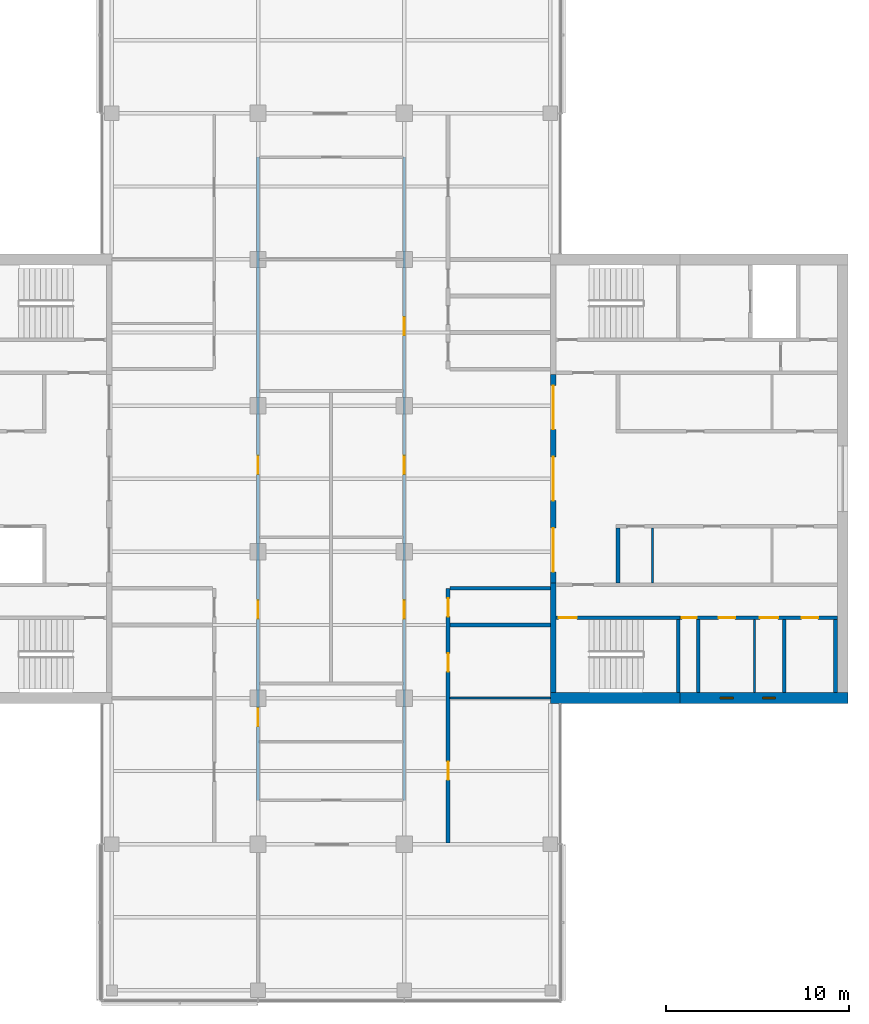
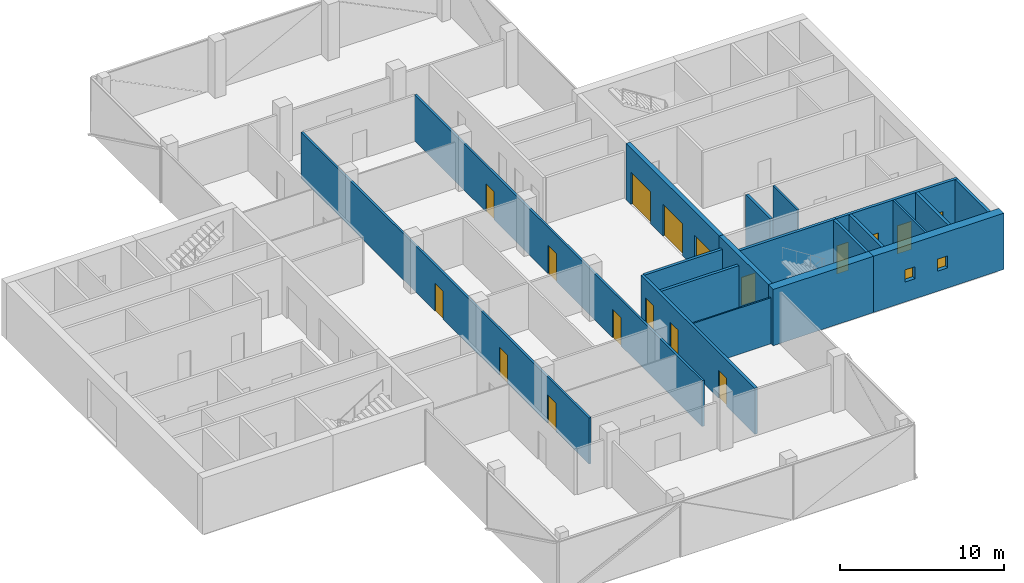
# One storey, part 10 of 16: 19 walls, 17 doors, 2 windows, 19 openings.
"""IFC4 building model written with IfcOpenShell, lengths in metres."""

from ifc_helpers import new_model, si_unit, direction, frame, frame_2d, origin, place, context, subcontext, project, spatial, rectangle, extrude, material, layer, layer_set, constituent, constituent_set, type_object, element, fill, save


model = new_model("IFC4")

# Units and contexts
model_context = context("Model", 3, precision=1e-05, world=origin(), true_north=direction((0.0, 1.0)))
body_context = subcontext(model_context, "Body", "Model", "MODEL_VIEW")
ifc_project = project(units=[si_unit("LENGTHUNIT", "METRE"), si_unit("AREAUNIT", "SQUARE_METRE"), si_unit("VOLUMEUNIT", "CUBIC_METRE"), si_unit("PLANEANGLEUNIT", "RADIAN"), si_unit("MASSUNIT", "GRAM", prefix="KILO")], contexts=[model_context])

# Site, building, storey
site_placement = place(None, origin())
site = spatial("IfcSite", under=ifc_project, at=site_placement, CompositionType="ELEMENT")
building_placement = place(site_placement, origin())
building = spatial("IfcBuilding", under=site, at=building_placement, Name="Crosswind Convention Tower", CompositionType="ELEMENT")
storey_placement = place(building_placement, frame((0.0, 0.0, 208.300048828125)))
storey = spatial("IfcBuildingStorey", under=building, at=storey_placement, Name="L44", CompositionType="ELEMENT", Elevation=208.300048828125)

# Wall
ifc_material_1 = material(Name="Concrete blockwork", Category="masonry")
ifc_layer_1 = layer(ifc_material_1, 0.199951171875)
ifc_layer_set_1 = layer_set([ifc_layer_1], Name="Blockwork partition wall 200")
wall_type_1 = type_object("IfcWallType", Name="Blockwork partition wall 200", PredefinedType="PARTITIONING", material=ifc_layer_set_1)
wall_1_placement = place(storey_placement, frame((145.10009765625, 88.300048828125, 0.0), z_axis=(0.0, 0.0, 1.0), x_axis=(0.0, 1.0, 0.0)))
element("IfcWall", 1, at=wall_1_placement, inside=storey, type_object=wall_type_1, Name="Wall MRSE E L44", PredefinedType="PARTITIONING", context=body_context, shape_type="SweptSolid", body=[
    extrude(rectangle(XDim=4.0, YDim=0.199951171875, at=frame_2d((2.0, 0.0))), origin(), (0.0, 0.0, 1.0), 4.199951171875),
])

# Wall, openings, doors
ifc_layer_2 = layer(ifc_material_1, 0.199951171875)
ifc_layer_set_2 = layer_set([ifc_layer_2], Name="COMPARTMENT WALL 200 BLOCKWORK")
wall_type_2 = type_object("IfcWallType", Name="COMPARTMENT WALL 200 BLOCKWORK", PredefinedType="SOLIDWALL", material=ifc_layer_set_2)
wall_2_placement = place(storey_placement, frame((131.39990234375, 80.074951171875, 0.0), z_axis=(0.0, 0.0, 1.0), x_axis=(0.0, 1.0, 0.0)))
wall_2 = element("IfcWall", 2, at=wall_2_placement, inside=storey, type_object=wall_type_2, Name="Compartment wall WT42", PredefinedType="SOLIDWALL", context=body_context, shape_type="SweptSolid", body=[
    extrude(rectangle(XDim=13.925048828125, YDim=0.199951171875, at=frame_2d((6.96240234375, 0.0))), origin(), (0.0, 0.0, 1.0), 3.439697265625),
])
opening_1_placement = place(wall_2_placement, frame((12.375, 0.0, 0.0)))
opening_1 = element("IfcOpeningElement", 3, at=opening_1_placement, cuts=wall_2, Name="Opening L44-54", PredefinedType="OPENING", context=body_context, shape_type="SweptSolid", body=[
    extrude(rectangle(XDim=1.0, YDim=2.10009765625, at=frame_2d((0.5, 1.050048828125))), frame((0.0, 0.10986328125, 0.0), z_axis=(0.0, -1.0, 0.0), x_axis=(1.0, 0.0, 0.0)), (0.0, 0.0, 1.0), 0.219970703125),
])
opening_2_placement = place(wall_2_placement, frame((9.375, 0.0, 0.0)))
opening_2 = element("IfcOpeningElement", 4, at=opening_2_placement, cuts=wall_2, Name="Opening L44-55", PredefinedType="OPENING", context=body_context, shape_type="SweptSolid", body=[
    extrude(rectangle(XDim=1.0, YDim=2.10009765625, at=frame_2d((0.5, 1.050048828125))), frame((0.0, 0.10986328125, 0.0), z_axis=(0.0, -1.0, 0.0), x_axis=(1.0, 0.0, 0.0)), (0.0, 0.0, 1.0), 0.219970703125),
])
opening_3_placement = place(wall_2_placement, frame((3.449951171875, 0.0, 0.0)))
opening_3 = element("IfcOpeningElement", 5, at=opening_3_placement, cuts=wall_2, Name="Opening L44-56", PredefinedType="OPENING", context=body_context, shape_type="SweptSolid", body=[
    extrude(rectangle(XDim=1.0, YDim=2.10009765625, at=frame_2d((0.5, 1.050048828125))), frame((0.0, 0.10986328125, 0.0), z_axis=(0.0, -1.0, 0.0), x_axis=(1.0, 0.0, 0.0)), (0.0, 0.0, 1.0), 0.219970703125),
])
ifc_material_2 = material(Name="Steel fire door", Category="steel")
door_type_1 = type_object("IfcDoorType", Name="PLANT ROOM DOOR 1000X2100 FD60", OperationType="NOTDEFINED", PredefinedType="DOOR", material=ifc_material_2)
door_1_placement = place(opening_1_placement, frame((1.0, 0.0, 0.0), z_axis=(0.0, 0.0, 1.0), x_axis=(-1.0, 0.0, 0.0)))
door_1 = element("IfcDoor", 6, at=door_1_placement, inside=storey, type_object=door_type_1, Name="Door L44-54", ObjectType="D43", OperationType="SINGLE_SWING_RIGHT", OverallHeight=2.10009765625, OverallWidth=1.0, PredefinedType="DOOR", context=body_context, shape_type="SweptSolid", body=[
    extrude(rectangle(XDim=1.0, YDim=2.10009765625, at=frame_2d((0.5, 1.050048828125))), frame((0.0, 0.02490234375, 0.0), z_axis=(0.0, -1.0, 0.0), x_axis=(1.0, 0.0, 0.0)), (0.0, 0.0, 1.0), 0.050048828125),
])
fill(opening_1, door_1)
ifc_material_3 = material(Name="Timber fire door", Category="wood")
door_type_2 = type_object("IfcDoorType", Name="TENANCY ENTRANCE DOOR 1000X2100 FD30S", OperationType="NOTDEFINED", PredefinedType="DOOR", material=ifc_material_3)
door_2_placement = place(opening_2_placement, frame((1.0, 0.0, 0.0), z_axis=(0.0, 0.0, 1.0), x_axis=(-1.0, 0.0, 0.0)))
door_2 = element("IfcDoor", 7, at=door_2_placement, inside=storey, type_object=door_type_2, Name="Door L44-55", ObjectType="D41", OperationType="SINGLE_SWING_LEFT", OverallHeight=2.10009765625, OverallWidth=1.0, PredefinedType="DOOR", context=body_context, shape_type="SweptSolid", body=[
    extrude(rectangle(XDim=1.0, YDim=2.10009765625, at=frame_2d((0.5, 1.050048828125))), frame((0.0, 0.02490234375, 0.0), z_axis=(0.0, -1.0, 0.0), x_axis=(1.0, 0.0, 0.0)), (0.0, 0.0, 1.0), 0.050048828125),
])
fill(opening_2, door_2)
door_3_placement = place(opening_3_placement, frame((1.0, 0.0, 0.0), z_axis=(0.0, 0.0, 1.0), x_axis=(-1.0, 0.0, 0.0)))
door_3 = element("IfcDoor", 8, at=door_3_placement, inside=storey, type_object=door_type_2, Name="Door L44-56", ObjectType="D41", OperationType="SINGLE_SWING_LEFT", OverallHeight=2.10009765625, OverallWidth=1.0, PredefinedType="DOOR", context=body_context, shape_type="SweptSolid", body=[
    extrude(rectangle(XDim=1.0, YDim=2.10009765625, at=frame_2d((0.5, 1.050048828125))), frame((0.0, 0.02490234375, 0.0), z_axis=(0.0, -1.0, 0.0), x_axis=(1.0, 0.0, 0.0)), (0.0, 0.0, 1.0), 0.050048828125),
])
fill(opening_3, door_3)

# Walls
for number, where, z_axis, x_axis, name in (
    (9, (131.5, 92.0, 0.0), (0.0, 0.0, 1.0), (1.0, 0.0, 0.0), "Compartment wall WT42"),
    (10, (131.5, 94.0, 0.0), (0.0, 0.0, 1.0), (1.0, 0.0, 0.0), "Compartment wall WT42"),
):
    element("IfcWall", number, at=place(storey_placement, frame(where, z_axis=z_axis, x_axis=x_axis)), inside=storey, type_object=wall_type_2, Name=name, PredefinedType="SOLIDWALL", context=body_context, shape_type="SweptSolid", body=[
        extrude(rectangle(XDim=5.5, YDim=0.199951171875, at=frame_2d((2.75, 0.0))), origin(), (0.0, 0.0, 1.0), 3.439697265625),
    ])

# Wall, openings, doors
ifc_material_4 = material(Name="Concrete C50/60", Category="concrete")
ifc_layer_3 = layer(ifc_material_4, 0.300048828125)
ifc_layer_set_3 = layer_set([ifc_layer_3], Name="Concrete C50/60")
wall_type_3 = type_object("IfcWallType", Name="Concrete inner core wall 300", PredefinedType="SHEAR", material=ifc_layer_set_3)
wall_3_placement = place(storey_placement, frame((137.14990234375, 94.300048828125, 0.0), z_axis=(0.0, 0.0, 1.0), x_axis=(0.0, 1.0, 0.0)))
wall_3 = element("IfcWall", 11, at=wall_3_placement, inside=storey, type_object=wall_type_3, Name="Wall SCR E L44", PredefinedType="SHEAR", context=body_context, shape_type="SweptSolid", body=[
    extrude(rectangle(XDim=11.39990234375, YDim=0.300048828125, at=frame_2d((5.699951171875, 0.0))), origin(), (0.0, 0.0, 1.0), 4.199951171875),
])
opening_4_placement = place(wall_3_placement, frame((0.60009765625, 0.0, 0.0)))
opening_4 = element("IfcOpeningElement", 12, at=opening_4_placement, cuts=wall_3, Name="Opening D100", PredefinedType="OPENING", context=body_context, shape_type="SweptSolid", body=[
    extrude(rectangle(XDim=2.39990234375, YDim=2.39990234375, at=frame_2d((1.199951171875, 1.199951171875))), frame((0.0, 0.159912109375, 0.0), z_axis=(0.0, -1.0, 0.0), x_axis=(1.0, 0.0, 0.0)), (0.0, 0.0, 1.0), 0.320068359375),
])
opening_5_placement = place(wall_3_placement, frame((4.5, 0.0, 0.0)))
opening_5 = element("IfcOpeningElement", 13, at=opening_5_placement, cuts=wall_3, Name="Opening D100", PredefinedType="OPENING", context=body_context, shape_type="SweptSolid", body=[
    extrude(rectangle(XDim=2.39990234375, YDim=2.39990234375, at=frame_2d((1.199951171875, 1.199951171875))), frame((0.0, 0.159912109375, 0.0), z_axis=(0.0, -1.0, 0.0), x_axis=(1.0, 0.0, 0.0)), (0.0, 0.0, 1.0), 0.320068359375),
])
opening_6_placement = place(wall_3_placement, frame((8.39990234375, 0.0, 0.0)))
opening_6 = element("IfcOpeningElement", 14, at=opening_6_placement, cuts=wall_3, Name="Opening D100", PredefinedType="OPENING", context=body_context, shape_type="SweptSolid", body=[
    extrude(rectangle(XDim=2.39990234375, YDim=2.39990234375, at=frame_2d((1.199951171875, 1.199951171875))), frame((0.0, 0.159912109375, 0.0), z_axis=(0.0, -1.0, 0.0), x_axis=(1.0, 0.0, 0.0)), (0.0, 0.0, 1.0), 0.320068359375),
])
ifc_material_5 = material(Name="Steel fire door with glazed vision panels", Category="steel")
door_type_3 = type_object("IfcDoorType", Name="Fire-rated double door 2400x2400", OperationType="DOUBLE_DOOR_SINGLE_SWING", PredefinedType="DOOR", material=ifc_material_5)
door_4_placement = place(opening_4_placement, origin())
door_4 = element("IfcDoor", 15, at=door_4_placement, inside=storey, type_object=door_type_3, Name="Lobby door 1 L44", ObjectType="D100", OperationType="DOUBLE_DOOR_SINGLE_SWING", OverallHeight=2.39990234375, OverallWidth=2.39990234375, PredefinedType="DOOR", context=body_context, shape_type="SweptSolid", body=[
    extrude(rectangle(XDim=2.39990234375, YDim=2.39990234375, at=frame_2d((1.199951171875, 1.199951171875))), frame((0.0, 0.02490234375, 0.0), z_axis=(0.0, -1.0, 0.0), x_axis=(1.0, 0.0, 0.0)), (0.0, 0.0, 1.0), 0.050048828125),
])
fill(opening_4, door_4)
door_5_placement = place(opening_5_placement, origin())
door_5 = element("IfcDoor", 16, at=door_5_placement, inside=storey, type_object=door_type_3, Name="Lobby door 2 L44", ObjectType="D100", OperationType="DOUBLE_DOOR_SINGLE_SWING", OverallHeight=2.39990234375, OverallWidth=2.39990234375, PredefinedType="DOOR", context=body_context, shape_type="SweptSolid", body=[
    extrude(rectangle(XDim=2.39990234375, YDim=2.39990234375, at=frame_2d((1.199951171875, 1.199951171875))), frame((0.0, 0.02490234375, 0.0), z_axis=(0.0, -1.0, 0.0), x_axis=(1.0, 0.0, 0.0)), (0.0, 0.0, 1.0), 0.050048828125),
])
fill(opening_5, door_5)
door_6_placement = place(opening_6_placement, origin())
door_6 = element("IfcDoor", 17, at=door_6_placement, inside=storey, type_object=door_type_3, Name="Lobby door 3 L44", ObjectType="D100", OperationType="DOUBLE_DOOR_SINGLE_SWING", OverallHeight=2.39990234375, OverallWidth=2.39990234375, PredefinedType="DOOR", context=body_context, shape_type="SweptSolid", body=[
    extrude(rectangle(XDim=2.39990234375, YDim=2.39990234375, at=frame_2d((1.199951171875, 1.199951171875))), frame((0.0, 0.02490234375, 0.0), z_axis=(0.0, -1.0, 0.0), x_axis=(1.0, 0.0, 0.0)), (0.0, 0.0, 1.0), 0.050048828125),
])
fill(opening_6, door_6)

# Walls
wall_4_placement = place(storey_placement, frame((137.14990234375, 88.300048828125, 0.0), z_axis=(0.0, 0.0, 1.0), x_axis=(0.0, 1.0, 0.0)))
element("IfcWall", 18, at=wall_4_placement, inside=storey, type_object=wall_type_3, Name="Wall EM E L44", PredefinedType="SHEAR", context=body_context, shape_type="SweptSolid", body=[
    extrude(rectangle(XDim=6.0, YDim=0.300048828125, at=frame_2d((3.0, 0.0))), origin(), (0.0, 0.0, 1.0), 4.199951171875),
])
ifc_layer_4 = layer(ifc_material_4, 0.199951171875)
ifc_layer_set_4 = layer_set([ifc_layer_4], Name="Concrete C50/60")
wall_type_4 = type_object("IfcWallType", Name="Concrete shaft and stair wall 200", PredefinedType="SHEAR", material=ifc_layer_set_4)
wall_5_placement = place(storey_placement, frame((140.699951171875, 94.300048828125, 0.0), z_axis=(0.0, 0.0, 1.0), x_axis=(0.0, 1.0, 0.0)))
element("IfcWall", 19, at=wall_5_placement, inside=storey, type_object=wall_type_4, Name="Wall RMEND E L44", PredefinedType="SHEAR", context=body_context, shape_type="SweptSolid", body=[
    extrude(rectangle(XDim=3.0, YDim=0.199951171875, at=frame_2d((1.5, 0.0))), origin(), (0.0, 0.0, 1.0), 4.199951171875),
])
for number, where, z_axis, x_axis, name in (
    (20, (144.0, 88.300048828125, 0.0), (0.0, 0.0, 1.0), (0.0, 1.0, 0.0), "Wall MSE E L44"),
    (21, (149.800048828125, 88.300048828125, 0.0), (0.0, 0.0, 1.0), (0.0, 1.0, 0.0), "Wall MFSW E L44"),
    (22, (152.60009765625, 88.300048828125, 0.0), (0.0, 0.0, 1.0), (0.0, 1.0, 0.0), "Wall MFSE E L44"),
):
    element("IfcWall", number, at=place(storey_placement, frame(where, z_axis=z_axis, x_axis=x_axis)), inside=storey, type_object=wall_type_4, Name=name, PredefinedType="SHEAR", context=body_context, shape_type="SweptSolid", body=[
        extrude(rectangle(XDim=4.0, YDim=0.199951171875, at=frame_2d((2.0, 0.0))), origin(), (0.0, 0.0, 1.0), 4.199951171875),
    ])

# Wall, opening, door
wall_6_placement = place(storey_placement, frame((137.300048828125, 92.39990234375, 0.0), z_axis=(0.0, 0.0, 1.0), x_axis=(1.0, 0.0, 0.0)))
wall_6 = element("IfcWall", 23, at=wall_6_placement, inside=storey, type_object=wall_type_4, Name="Wall MCW E L44", PredefinedType="SHEAR", context=body_context, shape_type="SweptSolid", body=[
    extrude(rectangle(XDim=6.800048828125, YDim=0.199951171875, at=frame_2d((3.39990234375, 0.0))), origin(), (0.0, 0.0, 1.0), 4.199951171875),
])
opening_7_placement = place(wall_6_placement, frame((0.14990234375, 0.0, 0.0)))
opening_7 = element("IfcOpeningElement", 24, at=opening_7_placement, cuts=wall_6, Name="Opening D103", PredefinedType="OPENING", context=body_context, shape_type="SweptSolid", body=[
    extrude(rectangle(XDim=1.0, YDim=2.10009765625, at=frame_2d((0.5, 1.050048828125))), frame((0.0, 0.10986328125, 0.0), z_axis=(0.0, -1.0, 0.0), x_axis=(1.0, 0.0, 0.0)), (0.0, 0.0, 1.0), 0.219970703125),
])
door_type_4 = type_object("IfcDoorType", Name="Fire-rated single door 1000x2100", OperationType="NOTDEFINED", PredefinedType="DOOR", material=ifc_material_2)
door_7_placement = place(opening_7_placement, frame((1.0, 0.0, 0.0), z_axis=(0.0, 0.0, 1.0), x_axis=(-1.0, 0.0, 0.0)))
door_7 = element("IfcDoor", 25, at=door_7_placement, inside=storey, type_object=door_type_4, Name="Stair ST2 door L44", ObjectType="D103", OperationType="SINGLE_SWING_RIGHT", OverallHeight=2.10009765625, OverallWidth=1.0, PredefinedType="DOOR", context=body_context, shape_type="SweptSolid", body=[
    extrude(rectangle(XDim=1.0, YDim=2.10009765625, at=frame_2d((0.5, 1.050048828125))), frame((0.0, 0.02490234375, 0.0), z_axis=(0.0, -1.0, 0.0), x_axis=(1.0, 0.0, 0.0)), (0.0, 0.0, 1.0), 0.050048828125),
])
fill(opening_7, door_7)

# Wall, openings, doors
wall_7_placement = place(storey_placement, frame((144.10009765625, 92.39990234375, 0.0), z_axis=(0.0, 0.0, 1.0), x_axis=(1.0, 0.0, 0.0)))
wall_7 = element("IfcWall", 26, at=wall_7_placement, inside=storey, type_object=wall_type_4, Name="Wall MCX E L44", PredefinedType="SHEAR", context=body_context, shape_type="SweptSolid", body=[
    extrude(rectangle(XDim=8.599853515625, YDim=0.199951171875, at=frame_2d((4.2998046875, 0.0))), origin(), (0.0, 0.0, 1.0), 4.199951171875),
])
opening_8_placement = place(wall_7_placement, frame((0.10009765625, 0.0, 0.0)))
opening_8 = element("IfcOpeningElement", 27, at=opening_8_placement, cuts=wall_7, Name="Opening D105", PredefinedType="OPENING", context=body_context, shape_type="SweptSolid", body=[
    extrude(rectangle(XDim=0.800048828125, YDim=2.10009765625, at=frame_2d((0.39990234375, 1.050048828125))), frame((0.0, 0.10986328125, 0.0), z_axis=(0.0, -1.0, 0.0), x_axis=(1.0, 0.0, 0.0)), (0.0, 0.0, 1.0), 0.219970703125),
])
opening_9_placement = place(wall_7_placement, frame((2.103759765625, 0.0, 0.0)))
opening_9 = element("IfcOpeningElement", 28, at=opening_9_placement, cuts=wall_7, Name="Opening D106", PredefinedType="OPENING", context=body_context, shape_type="SweptSolid", body=[
    extrude(rectangle(XDim=0.89990234375, YDim=2.10009765625, at=frame_2d((0.449951171875, 1.050048828125))), frame((0.0, 0.10986328125, 0.0), z_axis=(0.0, -1.0, 0.0), x_axis=(1.0, 0.0, 0.0)), (0.0, 0.0, 1.0), 0.219970703125),
])
opening_10_placement = place(wall_7_placement, frame((4.3662109375, 0.0, 0.0)))
opening_10 = element("IfcOpeningElement", 29, at=opening_10_placement, cuts=wall_7, Name="Opening D103", PredefinedType="OPENING", context=body_context, shape_type="SweptSolid", body=[
    extrude(rectangle(XDim=1.0, YDim=2.10009765625, at=frame_2d((0.5, 1.050048828125))), frame((0.0, 0.10986328125, 0.0), z_axis=(0.0, -1.0, 0.0), x_axis=(1.0, 0.0, 0.0)), (0.0, 0.0, 1.0), 0.219970703125),
])
opening_11_placement = place(wall_7_placement, frame((6.64990234375, 0.0, 0.0)))
opening_11 = element("IfcOpeningElement", 30, at=opening_11_placement, cuts=wall_7, Name="Opening D106", PredefinedType="OPENING", context=body_context, shape_type="SweptSolid", body=[
    extrude(rectangle(XDim=0.89990234375, YDim=2.10009765625, at=frame_2d((0.449951171875, 1.050048828125))), frame((0.0, 0.10986328125, 0.0), z_axis=(0.0, -1.0, 0.0), x_axis=(1.0, 0.0, 0.0)), (0.0, 0.0, 1.0), 0.219970703125),
])
door_8_placement = place(opening_10_placement, frame((1.0, 0.0, 0.0), z_axis=(0.0, 0.0, 1.0), x_axis=(-1.0, 0.0, 0.0)))
door_8 = element("IfcDoor", 31, at=door_8_placement, inside=storey, type_object=door_type_4, Name="Door to accessible wc L44", ObjectType="D103", OperationType="SINGLE_SWING_LEFT", OverallHeight=2.10009765625, OverallWidth=1.0, PredefinedType="DOOR", context=body_context, shape_type="SweptSolid", body=[
    extrude(rectangle(XDim=1.0, YDim=2.10009765625, at=frame_2d((0.5, 1.050048828125))), frame((0.0, 0.02490234375, 0.0), z_axis=(0.0, -1.0, 0.0), x_axis=(1.0, 0.0, 0.0)), (0.0, 0.0, 1.0), 0.050048828125),
])
fill(opening_10, door_8)
door_type_5 = type_object("IfcDoorType", Name="Riser access door 800x2100", OperationType="NOTDEFINED", PredefinedType="DOOR", material=ifc_material_2)
door_9_placement = place(opening_8_placement, frame((0.800048828125, 0.0, 0.0), z_axis=(0.0, 0.0, 1.0), x_axis=(-1.0, 0.0, 0.0)))
door_9 = element("IfcDoor", 32, at=door_9_placement, inside=storey, type_object=door_type_5, Name="Riser door L44", ObjectType="D105", OperationType="SINGLE_SWING_LEFT", OverallHeight=2.10009765625, OverallWidth=0.800048828125, PredefinedType="DOOR", context=body_context, shape_type="SweptSolid", body=[
    extrude(rectangle(XDim=0.800048828125, YDim=2.10009765625, at=frame_2d((0.39990234375, 1.050048828125))), frame((0.0, 0.02490234375, 0.0), z_axis=(0.0, -1.0, 0.0), x_axis=(1.0, 0.0, 0.0)), (0.0, 0.0, 1.0), 0.050048828125),
])
fill(opening_8, door_9)
ifc_material_6 = material(Name="Timber door", Category="wood")
door_type_6 = type_object("IfcDoorType", Name="Single leaf door 900x2100", OperationType="NOTDEFINED", PredefinedType="DOOR", material=ifc_material_6)
door_10_placement = place(opening_9_placement, frame((0.89990234375, 0.0, 0.0), z_axis=(0.0, 0.0, 1.0), x_axis=(-1.0, 0.0, 0.0)))
door_10 = element("IfcDoor", 33, at=door_10_placement, inside=storey, type_object=door_type_6, Name="Door to wc L44", ObjectType="D106", OperationType="SINGLE_SWING_LEFT", OverallHeight=2.10009765625, OverallWidth=0.89990234375, PredefinedType="DOOR", context=body_context, shape_type="SweptSolid", body=[
    extrude(rectangle(XDim=0.89990234375, YDim=2.10009765625, at=frame_2d((0.449951171875, 1.050048828125))), frame((0.0, 0.02490234375, 0.0), z_axis=(0.0, -1.0, 0.0), x_axis=(1.0, 0.0, 0.0)), (0.0, 0.0, 1.0), 0.050048828125),
])
fill(opening_9, door_10)
door_11_placement = place(opening_11_placement, frame((0.89990234375, 0.0, 0.0), z_axis=(0.0, 0.0, 1.0), x_axis=(-1.0, 0.0, 0.0)))
door_11 = element("IfcDoor", 34, at=door_11_placement, inside=storey, type_object=door_type_6, Name="Door to accessible wc L44", ObjectType="D106", OperationType="SINGLE_SWING_LEFT", OverallHeight=2.10009765625, OverallWidth=0.89990234375, PredefinedType="DOOR", context=body_context, shape_type="SweptSolid", body=[
    extrude(rectangle(XDim=0.89990234375, YDim=2.10009765625, at=frame_2d((0.449951171875, 1.050048828125))), frame((0.0, 0.02490234375, 0.0), z_axis=(0.0, -1.0, 0.0), x_axis=(1.0, 0.0, 0.0)), (0.0, 0.0, 1.0), 0.050048828125),
])
fill(opening_11, door_11)

# Walls
ifc_material_7 = material(Name="Gypsum plasterboard partition", Category="gypsum")
ifc_layer_5 = layer(ifc_material_7, 0.125)
ifc_layer_set_5 = layer_set([ifc_layer_5], Name="Drywall partition wall 125")
wall_type_5 = type_object("IfcWallType", Name="Drywall partition wall 125", PredefinedType="PARTITIONING", material=ifc_layer_set_5)
wall_8_placement = place(storey_placement, frame((142.5849609375, 94.300048828125, 0.0), z_axis=(0.0, 0.0, 1.0), x_axis=(0.0, 1.0, 0.0)))
element("IfcWall", 35, at=wall_8_placement, inside=storey, type_object=wall_type_5, Name="Wall RMP1 E L44", PredefinedType="PARTITIONING", context=body_context, shape_type="SweptSolid", body=[
    extrude(rectangle(XDim=3.0, YDim=0.125, at=frame_2d((1.5, 0.0))), origin(), (0.0, 0.0, 1.0), 4.199951171875),
])
wall_9_placement = place(storey_placement, frame((148.169921875, 88.300048828125, 0.0), z_axis=(0.0, 0.0, 1.0), x_axis=(0.0, 1.0, 0.0)))
element("IfcWall", 36, at=wall_9_placement, inside=storey, type_object=wall_type_5, Name="Wall MWP1 E L44", PredefinedType="PARTITIONING", context=body_context, shape_type="SweptSolid", body=[
    extrude(rectangle(XDim=4.0, YDim=0.125, at=frame_2d((2.0, 0.0))), origin(), (0.0, 0.0, 1.0), 4.199951171875),
])
ifc_material_8 = material(Name="Plasterboard partition", Category="gypsum")
ifc_layer_6 = layer(ifc_material_8, 0.10009765625)
ifc_layer_set_6 = layer_set([ifc_layer_6], Name="PARTITION 100 METAL STUD")
wall_type_6 = type_object("IfcWallType", Name="PARTITION 100 METAL STUD", PredefinedType="PARTITIONING", material=ifc_layer_set_6)
wall_10_placement = place(storey_placement, frame((131.5, 88.0, 0.0), z_axis=(0.0, 0.0, 1.0), x_axis=(1.0, 0.0, 0.0)))
element("IfcWall", 37, at=wall_10_placement, inside=storey, type_object=wall_type_6, Name="Partition wall WT40", PredefinedType="PARTITIONING", context=body_context, shape_type="SweptSolid", body=[
    extrude(rectangle(XDim=5.5, YDim=0.10009765625, at=frame_2d((2.75, 0.0))), origin(), (0.0, 0.0, 1.0), 3.439697265625),
])

# Wall, openings, doors
ifc_material_9 = material(Name="Fire-board partition with mineral wool", Category="gypsum")
ifc_layer_7 = layer(ifc_material_9, 0.14990234375)
ifc_layer_set_7 = layer_set([ifc_layer_7], Name="TENANCY WALL 150 TWO-HOUR BOARD")
wall_type_7 = type_object("IfcWallType", Name="TENANCY WALL 150 TWO-HOUR BOARD", PredefinedType="PARTITIONING", material=ifc_layer_set_7)
wall_11_placement = place(storey_placement, frame((121.0, 82.39990234375, 0.0), z_axis=(0.0, 0.0, 1.0), x_axis=(0.0, 1.0, 0.0)))
wall_11 = element("IfcWall", 38, at=wall_11_placement, inside=storey, type_object=wall_type_7, Name="Tenancy wall WT41", PredefinedType="PARTITIONING", context=body_context, shape_type="SweptSolid", body=[
    extrude(rectangle(XDim=35.2001953125, YDim=0.14990234375, at=frame_2d((17.60009765625, 0.0))), origin(), (0.0, 0.0, 1.0), 3.439697265625),
])
opening_12_placement = place(wall_11_placement, frame((4.050048828125, 0.0, 0.0)))
opening_12 = element("IfcOpeningElement", 39, at=opening_12_placement, cuts=wall_11, Name="Opening L44-66", PredefinedType="OPENING", context=body_context, shape_type="SweptSolid", body=[
    extrude(rectangle(XDim=1.0, YDim=2.10009765625, at=frame_2d((0.5, 1.050048828125))), frame((0.0, 0.0849609375, 0.0), z_axis=(0.0, -1.0, 0.0), x_axis=(1.0, 0.0, 0.0)), (0.0, 0.0, 1.0), 0.169921875),
])
opening_13_placement = place(wall_11_placement, frame((9.949951171875, 0.0, 0.0)))
opening_13 = element("IfcOpeningElement", 40, at=opening_13_placement, cuts=wall_11, Name="Opening L44-67", PredefinedType="OPENING", context=body_context, shape_type="SweptSolid", body=[
    extrude(rectangle(XDim=1.0, YDim=2.10009765625, at=frame_2d((0.5, 1.050048828125))), frame((0.0, 0.0849609375, 0.0), z_axis=(0.0, -1.0, 0.0), x_axis=(1.0, 0.0, 0.0)), (0.0, 0.0, 1.0), 0.169921875),
])
opening_14_placement = place(wall_11_placement, frame((17.85009765625, 0.0, 0.0)))
opening_14 = element("IfcOpeningElement", 41, at=opening_14_placement, cuts=wall_11, Name="Opening L44-69", PredefinedType="OPENING", context=body_context, shape_type="SweptSolid", body=[
    extrude(rectangle(XDim=1.0, YDim=2.10009765625, at=frame_2d((0.5, 1.050048828125))), frame((0.0, 0.0849609375, 0.0), z_axis=(0.0, -1.0, 0.0), x_axis=(1.0, 0.0, 0.0)), (0.0, 0.0, 1.0), 0.169921875),
])
door_12_placement = place(opening_12_placement, frame((1.0, 0.0, 0.0), z_axis=(0.0, 0.0, 1.0), x_axis=(-1.0, 0.0, 0.0)))
door_12 = element("IfcDoor", 42, at=door_12_placement, inside=storey, type_object=door_type_2, Name="Door L44-66", ObjectType="D41", OperationType="SINGLE_SWING_LEFT", OverallHeight=2.10009765625, OverallWidth=1.0, PredefinedType="DOOR", context=body_context, shape_type="SweptSolid", body=[
    extrude(rectangle(XDim=1.0, YDim=2.10009765625, at=frame_2d((0.5, 1.050048828125))), frame((0.0, 0.02490234375, 0.0), z_axis=(0.0, -1.0, 0.0), x_axis=(1.0, 0.0, 0.0)), (0.0, 0.0, 1.0), 0.050048828125),
])
fill(opening_12, door_12)
door_13_placement = place(opening_13_placement, frame((1.0, 0.0, 0.0), z_axis=(0.0, 0.0, 1.0), x_axis=(-1.0, 0.0, 0.0)))
door_13 = element("IfcDoor", 43, at=door_13_placement, inside=storey, type_object=door_type_2, Name="Door L44-67", ObjectType="D41", OperationType="SINGLE_SWING_LEFT", OverallHeight=2.10009765625, OverallWidth=1.0, PredefinedType="DOOR", context=body_context, shape_type="SweptSolid", body=[
    extrude(rectangle(XDim=1.0, YDim=2.10009765625, at=frame_2d((0.5, 1.050048828125))), frame((0.0, 0.02490234375, 0.0), z_axis=(0.0, -1.0, 0.0), x_axis=(1.0, 0.0, 0.0)), (0.0, 0.0, 1.0), 0.050048828125),
])
fill(opening_13, door_13)
door_14_placement = place(opening_14_placement, frame((1.0, 0.0, 0.0), z_axis=(0.0, 0.0, 1.0), x_axis=(-1.0, 0.0, 0.0)))
door_14 = element("IfcDoor", 44, at=door_14_placement, inside=storey, type_object=door_type_2, Name="Door L44-69", ObjectType="D41", OperationType="SINGLE_SWING_LEFT", OverallHeight=2.10009765625, OverallWidth=1.0, PredefinedType="DOOR", context=body_context, shape_type="SweptSolid", body=[
    extrude(rectangle(XDim=1.0, YDim=2.10009765625, at=frame_2d((0.5, 1.050048828125))), frame((0.0, 0.02490234375, 0.0), z_axis=(0.0, -1.0, 0.0), x_axis=(1.0, 0.0, 0.0)), (0.0, 0.0, 1.0), 0.050048828125),
])
fill(opening_14, door_14)

wall_12_placement = place(storey_placement, frame((129.0, 82.39990234375, 0.0), z_axis=(0.0, 0.0, 1.0), x_axis=(0.0, 1.0, 0.0)))
wall_12 = element("IfcWall", 45, at=wall_12_placement, inside=storey, type_object=wall_type_7, Name="Tenancy wall WT41", PredefinedType="PARTITIONING", context=body_context, shape_type="SweptSolid", body=[
    extrude(rectangle(XDim=35.2001953125, YDim=0.14990234375, at=frame_2d((17.60009765625, 0.0))), origin(), (0.0, 0.0, 1.0), 3.439697265625),
])
opening_15_placement = place(wall_12_placement, frame((9.949951171875, 0.0, 0.0)))
opening_15 = element("IfcOpeningElement", 46, at=opening_15_placement, cuts=wall_12, Name="Opening L44-68", PredefinedType="OPENING", context=body_context, shape_type="SweptSolid", body=[
    extrude(rectangle(XDim=1.0, YDim=2.10009765625, at=frame_2d((0.5, 1.050048828125))), frame((0.0, 0.0849609375, 0.0), z_axis=(0.0, -1.0, 0.0), x_axis=(1.0, 0.0, 0.0)), (0.0, 0.0, 1.0), 0.169921875),
])
opening_16_placement = place(wall_12_placement, frame((17.85009765625, 0.0, 0.0)))
opening_16 = element("IfcOpeningElement", 47, at=opening_16_placement, cuts=wall_12, Name="Opening L44-70", PredefinedType="OPENING", context=body_context, shape_type="SweptSolid", body=[
    extrude(rectangle(XDim=1.0, YDim=2.10009765625, at=frame_2d((0.5, 1.050048828125))), frame((0.0, 0.0849609375, 0.0), z_axis=(0.0, -1.0, 0.0), x_axis=(1.0, 0.0, 0.0)), (0.0, 0.0, 1.0), 0.169921875),
])
opening_17_placement = place(wall_12_placement, frame((25.449951171875, 0.0, 0.0)))
opening_17 = element("IfcOpeningElement", 48, at=opening_17_placement, cuts=wall_12, Name="Opening L44-71", PredefinedType="OPENING", context=body_context, shape_type="SweptSolid", body=[
    extrude(rectangle(XDim=1.0, YDim=2.10009765625, at=frame_2d((0.5, 1.050048828125))), frame((0.0, 0.0849609375, 0.0), z_axis=(0.0, -1.0, 0.0), x_axis=(1.0, 0.0, 0.0)), (0.0, 0.0, 1.0), 0.169921875),
])
door_15_placement = place(opening_15_placement, origin())
door_15 = element("IfcDoor", 49, at=door_15_placement, inside=storey, type_object=door_type_2, Name="Door L44-68", ObjectType="D41", OperationType="SINGLE_SWING_RIGHT", OverallHeight=2.10009765625, OverallWidth=1.0, PredefinedType="DOOR", context=body_context, shape_type="SweptSolid", body=[
    extrude(rectangle(XDim=1.0, YDim=2.10009765625, at=frame_2d((0.5, 1.050048828125))), frame((0.0, 0.02490234375, 0.0), z_axis=(0.0, -1.0, 0.0), x_axis=(1.0, 0.0, 0.0)), (0.0, 0.0, 1.0), 0.050048828125),
])
fill(opening_15, door_15)
door_16_placement = place(opening_16_placement, origin())
door_16 = element("IfcDoor", 50, at=door_16_placement, inside=storey, type_object=door_type_2, Name="Door L44-70", ObjectType="D41", OperationType="SINGLE_SWING_RIGHT", OverallHeight=2.10009765625, OverallWidth=1.0, PredefinedType="DOOR", context=body_context, shape_type="SweptSolid", body=[
    extrude(rectangle(XDim=1.0, YDim=2.10009765625, at=frame_2d((0.5, 1.050048828125))), frame((0.0, 0.02490234375, 0.0), z_axis=(0.0, -1.0, 0.0), x_axis=(1.0, 0.0, 0.0)), (0.0, 0.0, 1.0), 0.050048828125),
])
fill(opening_16, door_16)
door_17_placement = place(opening_17_placement, origin())
door_17 = element("IfcDoor", 51, at=door_17_placement, inside=storey, type_object=door_type_2, Name="Door L44-71", ObjectType="D41", OperationType="SINGLE_SWING_RIGHT", OverallHeight=2.10009765625, OverallWidth=1.0, PredefinedType="DOOR", context=body_context, shape_type="SweptSolid", body=[
    extrude(rectangle(XDim=1.0, YDim=2.10009765625, at=frame_2d((0.5, 1.050048828125))), frame((0.0, 0.02490234375, 0.0), z_axis=(0.0, -1.0, 0.0), x_axis=(1.0, 0.0, 0.0)), (0.0, 0.0, 1.0), 0.050048828125),
])
fill(opening_17, door_17)

# Wall
ifc_material_10 = material(Name="Concrete C60/75", Category="concrete")
ifc_constituent_1 = constituent(ifc_material_10, Name="Structure")
ifc_material_11 = material(Name="Terracotta rainscreen", Category="ceramic")
ifc_constituent_2 = constituent(ifc_material_11, Name="Facing")
ifc_constituent_set = constituent_set(constituents=[ifc_constituent_1, ifc_constituent_2], Name="Concrete C60/75, Terracotta rainscreen")
wall_type_8 = type_object("IfcWallType", Name="Terracotta rainscreen on concrete core wall 600", PredefinedType="SHEAR", material=ifc_constituent_set)
wall_13_placement = place(storey_placement, frame((137.0, 88.0, 0.0), z_axis=(0.0, 0.0, 1.0), x_axis=(1.0, 0.0, 0.0)))
element("IfcWall", 52, at=wall_13_placement, inside=storey, type_object=wall_type_8, Name="Wall S1 E L44", PredefinedType="SHEAR", context=body_context, shape_type="SweptSolid", body=[
    extrude(rectangle(XDim=7.10009765625, YDim=0.60009765625, at=frame_2d((3.550048828125, 0.0))), origin(), (0.0, 0.0, 1.0), 4.199951171875),
])

# Wall, openings, windows
wall_14_placement = place(storey_placement, frame((144.10009765625, 88.0, 0.0), z_axis=(0.0, 0.0, 1.0), x_axis=(1.0, 0.0, 0.0)))
wall_14 = element("IfcWall", 53, at=wall_14_placement, inside=storey, type_object=wall_type_8, Name="Wall S2 E L44", PredefinedType="SHEAR", context=body_context, shape_type="SweptSolid", body=[
    extrude(rectangle(XDim=9.199951171875, YDim=0.60009765625, at=frame_2d((4.60009765625, 0.0))), origin(), (0.0, 0.0, 1.0), 4.199951171875),
])
opening_18_placement = place(wall_14_placement, frame((2.203857421875, 0.0, 1.5)))
opening_18 = element("IfcOpeningElement", 54, at=opening_18_placement, cuts=wall_14, Name="Opening W2", PredefinedType="OPENING", context=body_context, shape_type="SweptSolid", body=[
    extrude(rectangle(XDim=0.699951171875, YDim=0.89990234375, at=frame_2d((0.35009765625, 0.449951171875))), frame((0.0, 0.31005859375, 0.0), z_axis=(0.0, -1.0, 0.0), x_axis=(1.0, 0.0, 0.0)), (0.0, 0.0, 1.0), 0.6201171875),
])
opening_19_placement = place(wall_14_placement, frame((4.516357421875, 0.0, 1.5)))
opening_19 = element("IfcOpeningElement", 55, at=opening_19_placement, cuts=wall_14, Name="Opening W2", PredefinedType="OPENING", context=body_context, shape_type="SweptSolid", body=[
    extrude(rectangle(XDim=0.699951171875, YDim=0.89990234375, at=frame_2d((0.35009765625, 0.449951171875))), frame((0.0, 0.31005859375, 0.0), z_axis=(0.0, -1.0, 0.0), x_axis=(1.0, 0.0, 0.0)), (0.0, 0.0, 1.0), 0.6201171875),
])
ifc_material_12 = material(Name="Obscure glass in aluminium frame", Category="aluminium")
window_type = type_object("IfcWindowType", Name="WC window 700x900", PartitioningType="SINGLE_PANEL", PredefinedType="WINDOW", material=ifc_material_12)
window_1_placement = place(opening_18_placement, origin())
window_1 = element("IfcWindow", 56, at=window_1_placement, inside=storey, type_object=window_type, Name="WC window L44", ObjectType="W2", OverallHeight=0.89990234375, OverallWidth=0.699951171875, PartitioningType="SINGLE_PANEL", PredefinedType="WINDOW", context=body_context, shape_type="SweptSolid", body=[
    extrude(rectangle(XDim=0.699951171875, YDim=0.89990234375, at=frame_2d((0.35009765625, 0.449951171875))), frame((0.0, 0.030029296875, 0.0), z_axis=(0.0, -1.0, 0.0), x_axis=(1.0, 0.0, 0.0)), (0.0, 0.0, 1.0), 0.06005859375),
])
fill(opening_18, window_1)
window_2_placement = place(opening_19_placement, origin())
window_2 = element("IfcWindow", 57, at=window_2_placement, inside=storey, type_object=window_type, Name="WC window L44", ObjectType="W2", OverallHeight=0.89990234375, OverallWidth=0.699951171875, PartitioningType="SINGLE_PANEL", PredefinedType="WINDOW", context=body_context, shape_type="SweptSolid", body=[
    extrude(rectangle(XDim=0.699951171875, YDim=0.89990234375, at=frame_2d((0.35009765625, 0.449951171875))), frame((0.0, 0.030029296875, 0.0), z_axis=(0.0, -1.0, 0.0), x_axis=(1.0, 0.0, 0.0)), (0.0, 0.0, 1.0), 0.06005859375),
])
fill(opening_19, window_2)

save(model, "model.ifc")
